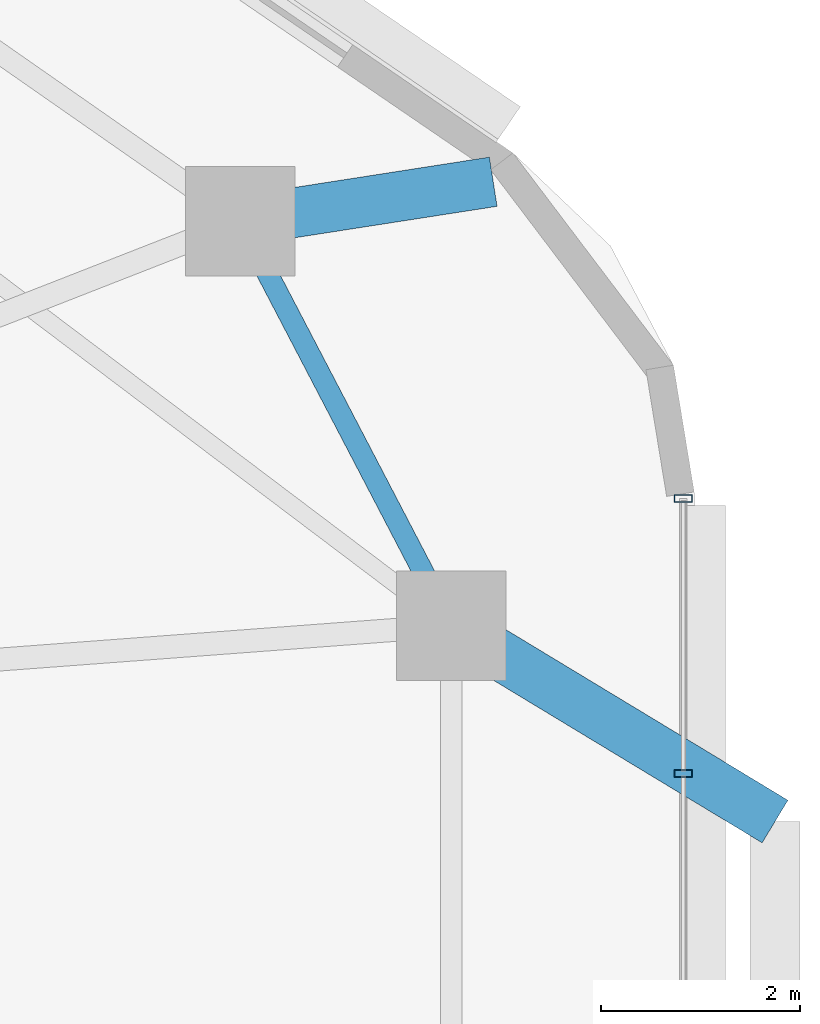
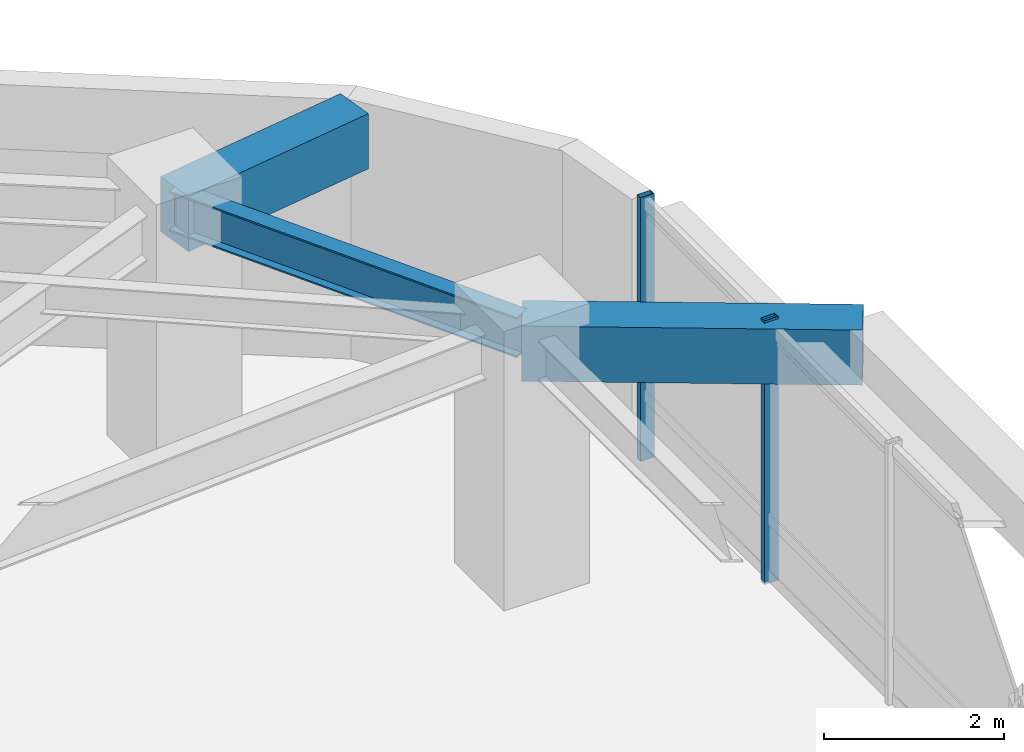
# One storey, part 6 of 13: 3 beams, 2 members, 1 element without a shape of its own.
"""IFC4 building model written with IfcOpenShell, lengths in metres."""

import ifcopenshell
import ifcopenshell.guid

model = None  # the IFC model being written
_history = None  # IfcOwnerHistory: only IFC2X3 demands one
_inside = {}  # id of a spatial element -> (the spatial element, [elements in it])
_under = {}  # id of a project, library or spatial element -> (it, [spatial elements below it])
_declared = {}  # id of a project -> (the project, [libraries it declares])
_typed = {}  # id of a type object -> (the type object, [elements of that type])
_made_of = {}  # id of a material, layer set ... -> (it, [elements and type objects made of it])


def new_model(schema):
    """Start an empty IFC model of exactly this schema.

    Asked for "IFC4X3", IfcOpenShell would pick the latest addendum, in which some entities
    have other attributes; the version numbers below select the first issue.
    IFC2X3 requires an IfcOwnerHistory on every rooted entity: one is made here for all.
    """
    global model, _history
    if schema == "IFC4X3":
        model = ifcopenshell.file(schema_version=(4, 3, 0, 0))
    else:
        model = ifcopenshell.file(schema=schema)
    _inside.clear()
    _under.clear()
    _declared.clear()
    _typed.clear()
    _made_of.clear()
    _history = None
    if model.schema == "IFC2X3":
        org = make("IfcOrganization", Name="unknown")
        user = make(
            "IfcPersonAndOrganization",
            ThePerson=make("IfcPerson", FamilyName="unknown"),
            TheOrganization=org,
        )
        app = make(
            "IfcApplication",
            ApplicationDeveloper=org,
            Version="unknown",
            ApplicationFullName="unknown",
            ApplicationIdentifier="unknown",
        )
        _history = make(
            "IfcOwnerHistory",
            OwningUser=user,
            OwningApplication=app,
            ChangeAction="ADDED",
            CreationDate=0,
        )
    return model


def make(cls, **values):
    """One entity of the class cls with the attributes given. An attribute that is None is left unset."""
    return model.create_entity(
        cls, **{name: value for name, value in values.items() if value is not None}
    )


def rooted(cls, **values):
    """An entity with a GlobalId (a new one), such as an element, a storey or a relation."""
    return make(cls, GlobalId=ifcopenshell.guid.new(), OwnerHistory=_history, **values)


def si_unit(unit_type, name, prefix=None):
    """IfcSIUnit, for example si_unit("LENGTHUNIT", "METRE", prefix="MILLI")."""
    return make("IfcSIUnit", UnitType=unit_type, Prefix=prefix, Name=name)


def assignment(units):
    """IfcUnitAssignment: the units of a project."""
    return None if units is None else make("IfcUnitAssignment", Units=units)


def point(xyz):
    """IfcCartesianPoint."""
    return None if xyz is None else make("IfcCartesianPoint", Coordinates=xyz)


def direction(xyz):
    """IfcDirection."""
    return None if xyz is None else make("IfcDirection", DirectionRatios=xyz)


def frame(location, z_axis=None, x_axis=None):
    """IfcAxis2Placement3D, a coordinate frame: its origin and axes. An axis left out is left unset."""
    return make(
        "IfcAxis2Placement3D",
        Location=point(location),
        Axis=direction(z_axis),
        RefDirection=direction(x_axis),
    )


def frame_2d(location, x_axis=None):
    """IfcAxis2Placement2D, a coordinate frame in the plane: its origin and x axis."""
    return make(
        "IfcAxis2Placement2D", Location=point(location), RefDirection=direction(x_axis)
    )


def origin():
    """The frame at (0, 0, 0) with its axes left unset."""
    return frame((0.0, 0.0, 0.0))


def origin_2d():
    """The frame at (0, 0) in the plane with its x axis left unset."""
    return frame_2d((0.0, 0.0))


def place(relative_to, where):
    """IfcLocalPlacement: puts the frame where relative to a parent placement (None: the world)."""
    return make(
        "IfcLocalPlacement", PlacementRelTo=relative_to, RelativePlacement=where
    )


def context(
    kind, dimensions, precision=None, world=None, true_north=None, identifier=None
):
    """IfcGeometricRepresentationContext, for example the 3D "Model" context."""
    return make(
        "IfcGeometricRepresentationContext",
        ContextIdentifier=identifier,
        ContextType=kind,
        CoordinateSpaceDimension=dimensions,
        Precision=precision,
        WorldCoordinateSystem=world,
        TrueNorth=true_north,
    )


def subcontext(parent, identifier, kind, view, scale=None):
    """IfcGeometricRepresentationSubContext, for example "Body" below "Model"."""
    return make(
        "IfcGeometricRepresentationSubContext",
        ContextIdentifier=identifier,
        ContextType=kind,
        ParentContext=parent,
        TargetScale=scale,
        TargetView=view,
    )


def project(units=None, contexts=None):
    """IfcProject with its units and contexts."""
    return rooted(
        "IfcProject",
        Name="project",
        RepresentationContexts=contexts,
        UnitsInContext=assignment(units),
    )


def spatial(cls, under=None, at=None, **own):
    """A site, building, storey or space (cls), placed at a placement, below another one or the project."""
    s = rooted(cls, ObjectPlacement=at, **own)
    if under is not None:
        _under.setdefault(under.id(), (under, []))[1].append(s)
    return s


def profile(cls, at=None, kind="AREA", **sizes):
    """A parametric profile (cls). Its sizes go by their IFC names, for example OverallWidth=200.0."""
    return make(cls, ProfileType=kind, Position=at, **sizes)


def rectangle(**sizes):
    """IfcRectangleProfileDef."""
    return profile("IfcRectangleProfileDef", **sizes)


def hollow_rectangle(**sizes):
    """IfcRectangleHollowProfileDef."""
    return profile("IfcRectangleHollowProfileDef", **sizes)


def i_section(**sizes):
    """IfcIShapeProfileDef."""
    return profile("IfcIShapeProfileDef", **sizes)


def extrude(swept, where, along, depth):
    """IfcExtrudedAreaSolid: the profile swept, set in the frame where, extruded along a direction by depth."""
    return make(
        "IfcExtrudedAreaSolid",
        SweptArea=swept,
        Position=where,
        ExtrudedDirection=direction(along),
        Depth=depth,
    )


def shape(context_of_items, identifier, shape_type, items):
    """IfcShapeRepresentation: the items that make up one representation, for example the "Body"."""
    return make(
        "IfcShapeRepresentation",
        ContextOfItems=context_of_items,
        RepresentationIdentifier=identifier,
        RepresentationType=shape_type,
        Items=items,
    )


def material(Name=None, Category=None):
    """IfcMaterial."""
    return make("IfcMaterial", Name=Name, Category=Category)


def material_profile(
    of_material, cross_section, Name=None, Category=None, Priority=None
):
    """IfcMaterialProfile: a cross section and its material."""
    return make(
        "IfcMaterialProfile",
        Name=Name,
        Material=of_material,
        Profile=cross_section,
        Priority=Priority,
        Category=Category,
    )


def profile_set(profiles, Name=None, composite=None):
    """IfcMaterialProfileSet."""
    return make(
        "IfcMaterialProfileSet",
        Name=Name,
        MaterialProfiles=profiles,
        CompositeProfile=composite,
    )


def made_of(thing, what):
    """Note that an element or type object is made of a material, layer set ...; save() writes the relation."""
    if what is not None:
        _made_of.setdefault(what.id(), (what, []))[1].append(thing)
    return thing


def type_object(cls, material=None, **own):
    """A type object (cls), such as IfcWallType, which elements share."""
    return made_of(rooted(cls, **own), material)


def element(
    cls,
    number,
    at=None,
    inside=None,
    cuts=None,
    type_object=None,
    material=None,
    context=None,
    identifier="Body",
    shape_type=None,
    held_by="IfcProductDefinitionShape",
    body=None,
    shapes=None,
    **own,
):
    """One element of the class cls, such as IfcWall. Its Tag is "e" and its number.

    at: its placement. inside: the storey or other place that contains it. cuts: it is an
    opening in that element (IfcRelVoidsElement). A single representation is given by context,
    identifier, shape_type and body (its items); several are given by shapes. held_by: the class
    of the entity that holds the representations. save() writes the other relations.
    """
    e = rooted(cls, Tag="e%d" % number, ObjectPlacement=at, **own)
    if body is not None:
        shapes = [shape(context, identifier, shape_type, body)]
    if shapes is not None:
        e.Representation = make(held_by, Representations=shapes)
    if inside is not None:
        _inside.setdefault(inside.id(), (inside, []))[1].append(e)
    if cuts is not None:
        rooted(
            "IfcRelVoidsElement", RelatingBuildingElement=cuts, RelatedOpeningElement=e
        )
    if type_object is not None:
        _typed.setdefault(type_object.id(), (type_object, []))[1].append(e)
    return made_of(e, material)


def aggregate(whole, parts):
    """IfcRelAggregates: a whole, such as a stair, and the parts it consists of."""
    return rooted("IfcRelAggregates", RelatingObject=whole, RelatedObjects=parts)


def save(model, path):
    """Write the relations noted so far, then the file.

    IfcRelAggregates (storeys below a building ...), IfcRelContainedInSpatialStructure (elements
    in a storey), IfcRelDefinesByType, IfcRelAssociatesMaterial and IfcRelDeclares: one each for
    every whole, place, type object, material and project.
    """
    for whole, parts in _under.values():
        aggregate(whole, parts)
    for where, things in _inside.values():
        rooted(
            "IfcRelContainedInSpatialStructure",
            RelatedElements=things,
            RelatingStructure=where,
        )
    for kind, things in _typed.values():
        rooted("IfcRelDefinesByType", RelatedObjects=things, RelatingType=kind)
    for what, things in _made_of.values():
        rooted("IfcRelAssociatesMaterial", RelatedObjects=things, RelatingMaterial=what)
    for by, libraries in _declared.values():
        rooted("IfcRelDeclares", RelatingContext=by, RelatedDefinitions=libraries)
    model.write(path)


model = new_model("IFC4")

# Units and contexts
model_context = context("Model", 3, precision=1e-05, world=origin(), true_north=direction((0.0, 1.0)))
body_context = subcontext(model_context, "Body", "Model", "MODEL_VIEW")
ifc_project = project(units=[si_unit("LENGTHUNIT", "METRE"), si_unit("AREAUNIT", "SQUARE_METRE"), si_unit("VOLUMEUNIT", "CUBIC_METRE"), si_unit("PLANEANGLEUNIT", "RADIAN"), si_unit("MASSUNIT", "GRAM", prefix="KILO")], contexts=[model_context])

# Site, building, storey
site_placement = place(None, origin())
site = spatial("IfcSite", under=ifc_project, at=site_placement, CompositionType="ELEMENT")
building_placement = place(site_placement, origin())
building = spatial("IfcBuilding", under=site, at=building_placement, Name="Zulverin Broadcast Headquarters", CompositionType="ELEMENT")
storey_placement = place(building_placement, frame((0.0, 0.0, 108.60009765625)))
storey = spatial("IfcBuildingStorey", under=building, at=storey_placement, Name="L27", CompositionType="ELEMENT", Elevation=108.60009765625)

# Beams
ifc_material_1 = material(Name="Concrete C40/50", Category="concrete")
ifc_material_profile_1 = material_profile(ifc_material_1, rectangle(XDim=0.5, YDim=0.75, at=origin_2d()), Name="Concrete C40/50", Category="concrete")
ifc_profile_set_1 = profile_set([ifc_material_profile_1], Name="Concrete C40/50")
beam_type_1 = type_object("IfcBeamType", Name="BM-RC-500x750", PredefinedType="BEAM", material=ifc_profile_set_1)
beam_1_placement = place(storey_placement, frame((61.630126953125, 38.298583984375, 3.14990234375), z_axis=(0.988133444256, 0.153597839639, 0.0), x_axis=(-0.153597839639, 0.988133444256, 0.0)))
element("IfcBeam", 1, at=beam_1_placement, inside=storey, type_object=beam_type_1, Name="L28 Plate Overhang Back-Spanned Beam OVR-07", PredefinedType="BEAM", context=body_context, shape_type="SweptSolid", body=[
    extrude(rectangle(XDim=0.5, YDim=0.75, at=origin_2d()), origin(), (0.0, 0.0, 1.0), 2.57177734375),
])
beam_2_placement = place(storey_placement, frame((63.75, 34.235107421875, 3.14990234375), z_axis=(0.855593685746, -0.517647993246, 0.0), x_axis=(0.517647993246, 0.855593685746, 0.0)))
element("IfcBeam", 2, at=beam_2_placement, inside=storey, type_object=beam_type_1, Name="L28 Balcony Column-Framed Cantilever BAL_E-2", PredefinedType="BEAM", context=body_context, shape_type="SweptSolid", body=[
    extrude(rectangle(XDim=0.5, YDim=0.75, at=origin_2d()), origin(), (0.0, 0.0, 1.0), 3.800048828125),
])
ifc_material_2 = material(Name="Structural steel S355JR", Category="steel")
ifc_material_profile_2 = material_profile(ifc_material_2, i_section(OverallWidth=0.2119140625, OverallDepth=0.54443359375, WebThickness=0.0126953125, FlangeThickness=0.021240234375, at=origin_2d()), Name="Structural steel S355JR", Category="steel")
ifc_profile_set_2 = profile_set([ifc_material_profile_2], Name="Structural steel S355JR")
beam_type_2 = type_object("IfcBeamType", Name="BM-UB-533", PredefinedType="SPANDREL", material=ifc_profile_set_2)
beam_3_placement = place(storey_placement, frame((63.75, 34.235107421875, 3.252685546875), z_axis=(-0.462531417359, 0.886602891917, 0.0), x_axis=(-0.886602891917, -0.462531417359, 0.0)))
element("IfcBeam", 3, at=beam_3_placement, inside=storey, type_object=beam_type_2, Name="L27 Perimeter Spandrel Beam SP-06", PredefinedType="SPANDREL", context=body_context, shape_type="SweptSolid", body=[
    extrude(i_section(OverallWidth=0.2119140625, OverallDepth=0.54443359375, WebThickness=0.0126953125, FlangeThickness=0.021240234375, at=origin_2d()), origin(), (0.0, 0.0, 1.0), 4.583251953125),
])

# Curtain wall, members
ifc_material_3 = material(Name="Low-zone ribbon unitised curtain wall", Category="aluminium")
curtain_wall_type = type_object("IfcCurtainWallType", Name="CW-TWR-LOW", PredefinedType="USERDEFINED", material=ifc_material_3)
curtain_wall_placement = place(storey_placement, origin())
curtain_wall = element("IfcCurtainWall", 4, at=curtain_wall_placement, inside=storey, type_object=curtain_wall_type, Name="L27 Unitised Curtain Wall CW-L27-E3", ObjectType="UNITISED CURTAIN WALL", PredefinedType="USERDEFINED")
ifc_material_4 = material(Name="Anodized pale-metal aluminium alloy 6063-T6", Category="aluminium")
ifc_material_profile_3 = material_profile(ifc_material_4, hollow_rectangle(XDim=0.074951171875, YDim=0.179931640625, WallThickness=0.0048828125, at=origin_2d()), Name="Anodized pale-metal aluminium alloy 6063-T6", Category="aluminium")
ifc_profile_set_3 = profile_set([ifc_material_profile_3], Name="Anodized pale-metal aluminium alloy 6063-T6")
member_type = type_object("IfcMemberType", Name="CW-MUL-180", PredefinedType="MULLION", material=ifc_profile_set_3)
member_1_placement = place(storey_placement, frame((66.080078125, 32.7529296875, -0.030029296875), z_axis=(0.0, 0.0, 1.0), x_axis=(0.0, 1.0, 0.0)))
member_1 = element("IfcMember", 5, at=member_1_placement, type_object=member_type, Name="CW-L27-E3 Mullion 06", PredefinedType="MULLION", context=body_context, shape_type="SweptSolid", body=[
    extrude(hollow_rectangle(XDim=0.074951171875, YDim=0.179931640625, WallThickness=0.0048828125, at=origin_2d()), origin(), (0.0, 0.0, 1.0), 3.5849609375),
])
member_2_placement = place(storey_placement, frame((66.080078125, 35.514404296875, -0.030029296875), z_axis=(0.0, 0.0, 1.0), x_axis=(0.0, 1.0, 0.0)))
member_2 = element("IfcMember", 6, at=member_2_placement, type_object=member_type, Name="CW-L27-E3 Mullion 07", PredefinedType="MULLION", context=body_context, shape_type="SweptSolid", body=[
    extrude(hollow_rectangle(XDim=0.074951171875, YDim=0.179931640625, WallThickness=0.0048828125, at=origin_2d()), origin(), (0.0, 0.0, 1.0), 3.5849609375),
])
aggregate(curtain_wall, [member_1, member_2])

save(model, "model.ifc")
